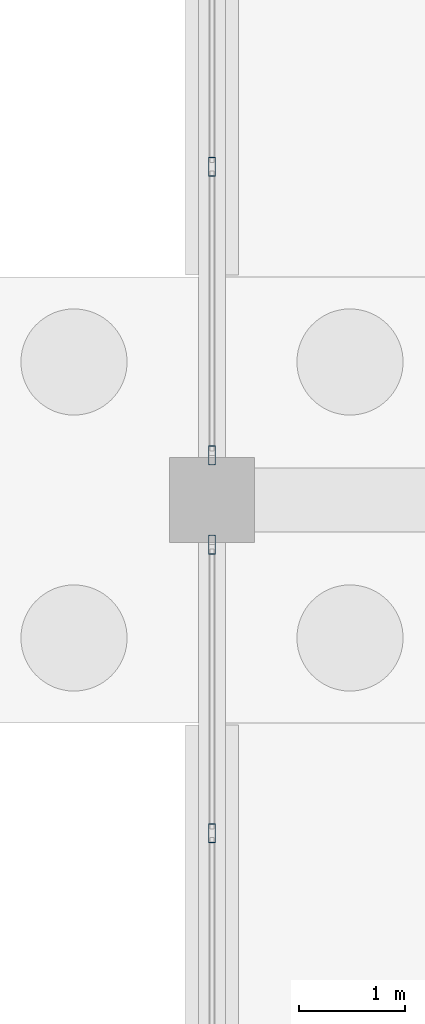
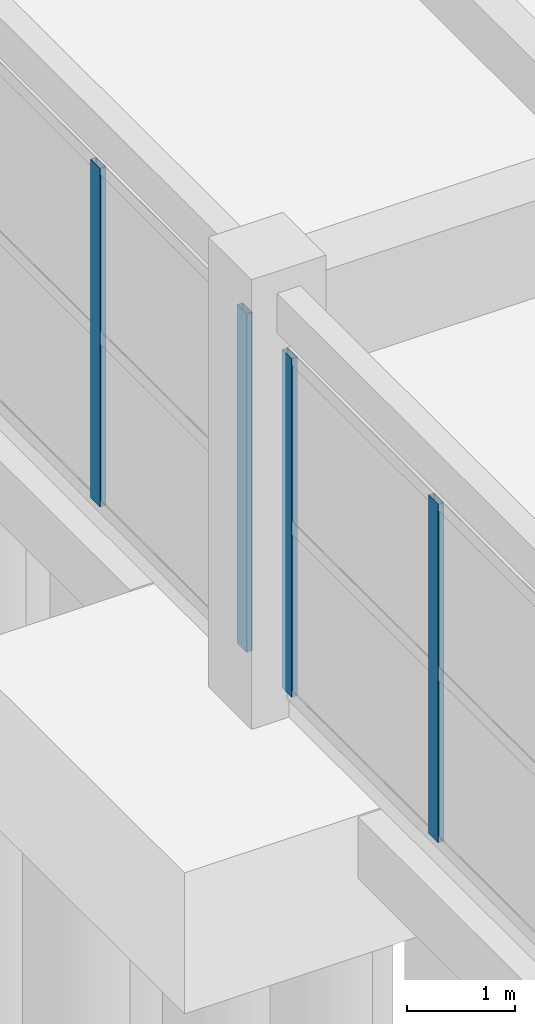
# One storey, part 75 of 147: 4 members, 2 elements without a shape of their own.
"""IFC4 building model written with IfcOpenShell, lengths in metres."""

from ifc_helpers import new_model, si_unit, direction, frame, origin, origin_2d, place, context, subcontext, project, spatial, hollow_rectangle, extrude, material, material_profile, profile_set, type_object, element, aggregate, save


model = new_model("IFC4")

# Units and contexts
model_context = context("Model", 3, precision=1e-05, world=origin(), true_north=direction((0.0, 1.0)))
body_context = subcontext(model_context, "Body", "Model", "MODEL_VIEW")
ifc_project = project(units=[si_unit("LENGTHUNIT", "METRE"), si_unit("AREAUNIT", "SQUARE_METRE"), si_unit("VOLUMEUNIT", "CUBIC_METRE"), si_unit("PLANEANGLEUNIT", "RADIAN"), si_unit("MASSUNIT", "GRAM", prefix="KILO")], contexts=[model_context])

# Site, building, storey
site_placement = place(None, origin())
site = spatial("IfcSite", under=ifc_project, at=site_placement, CompositionType="ELEMENT")
building_placement = place(site_placement, origin())
building = spatial("IfcBuilding", under=site, at=building_placement, Name="Varnabhumi Central Station", CompositionType="ELEMENT")
storey_placement = place(building_placement, origin())
storey = spatial("IfcBuildingStorey", under=building, at=storey_placement, Name="L00", CompositionType="ELEMENT", Elevation=0.0)

# Curtain wall, members
ifc_material = material(Name="Anodised aluminium 6063-T6", Category="aluminium")
curtain_wall_type = type_object("IfcCurtainWallType", Name="CW-PATIO-LOGGIA-L0", PredefinedType="NOTDEFINED", material=ifc_material)
curtain_wall_1_placement = place(storey_placement, origin())
curtain_wall_1 = element("IfcCurtainWall", 1, at=curtain_wall_1_placement, inside=storey, type_object=curtain_wall_type, Name="Curtain Wall CW-SP0W1", PredefinedType="NOTDEFINED")
ifc_material_profile = material_profile(ifc_material, hollow_rectangle(XDim=0.06494140625, YDim=0.179931640625, WallThickness=0.00390625, InnerFilletRadius=0.001953125, OuterFilletRadius=0.006103515625, at=origin_2d()), Name="Anodised aluminium 6063-T6", Category="aluminium")
ifc_profile_set = profile_set([ifc_material_profile], Name="Anodised aluminium 6063-T6")
member_type = type_object("IfcMemberType", Name="CW-MUL-180", PredefinedType="MULLION", material=ifc_profile_set)
member_1_placement = place(storey_placement, frame((144.0, 14.860107421875, 0.0), z_axis=(0.0, 0.0, 1.0), x_axis=(1.0, 0.0, 0.0)))
member_1 = element("IfcMember", 2, at=member_1_placement, type_object=member_type, Name="Curtain Wall Mullion CW-SP0W1-M3", PredefinedType="MULLION", context=body_context, shape_type="SweptSolid", body=[
    extrude(hollow_rectangle(XDim=0.06494140625, YDim=0.179931640625, WallThickness=0.00390625, InnerFilletRadius=0.001953125, OuterFilletRadius=0.006103515625, at=origin_2d()), origin(), (0.0, 0.0, 1.0), 3.840087890625),
])
member_2_placement = place(storey_placement, frame((144.0, 17.580078125, 0.0), z_axis=(0.0, 0.0, 1.0), x_axis=(1.0, 0.0, 0.0)))
member_2 = element("IfcMember", 3, at=member_2_placement, type_object=member_type, Name="Curtain Wall Mullion CW-SP0W1-M4", PredefinedType="MULLION", context=body_context, shape_type="SweptSolid", body=[
    extrude(hollow_rectangle(XDim=0.06494140625, YDim=0.179931640625, WallThickness=0.00390625, InnerFilletRadius=0.001953125, OuterFilletRadius=0.006103515625, at=origin_2d()), origin(), (0.0, 0.0, 1.0), 3.840087890625),
])
aggregate(curtain_wall_1, [member_1, member_2])

curtain_wall_2_placement = place(storey_placement, origin())
curtain_wall_2 = element("IfcCurtainWall", 4, at=curtain_wall_2_placement, inside=storey, type_object=curtain_wall_type, Name="Curtain Wall CW-SP0W2", PredefinedType="NOTDEFINED")
member_3_placement = place(storey_placement, frame((144.0, 18.419921875, 0.0), z_axis=(0.0, 0.0, 1.0), x_axis=(1.0, 0.0, 0.0)))
member_3 = element("IfcMember", 5, at=member_3_placement, type_object=member_type, Name="Curtain Wall Mullion CW-SP0W2-M1", PredefinedType="MULLION", context=body_context, shape_type="SweptSolid", body=[
    extrude(hollow_rectangle(XDim=0.06494140625, YDim=0.179931640625, WallThickness=0.00390625, InnerFilletRadius=0.001953125, OuterFilletRadius=0.006103515625, at=origin_2d()), origin(), (0.0, 0.0, 1.0), 3.840087890625),
])
member_4_placement = place(storey_placement, frame((144.0, 21.139892578125, 0.0), z_axis=(0.0, 0.0, 1.0), x_axis=(1.0, 0.0, 0.0)))
member_4 = element("IfcMember", 6, at=member_4_placement, type_object=member_type, Name="Curtain Wall Mullion CW-SP0W2-M2", PredefinedType="MULLION", context=body_context, shape_type="SweptSolid", body=[
    extrude(hollow_rectangle(XDim=0.06494140625, YDim=0.179931640625, WallThickness=0.00390625, InnerFilletRadius=0.001953125, OuterFilletRadius=0.006103515625, at=origin_2d()), origin(), (0.0, 0.0, 1.0), 3.840087890625),
])
aggregate(curtain_wall_2, [member_3, member_4])

save(model, "model.ifc")
